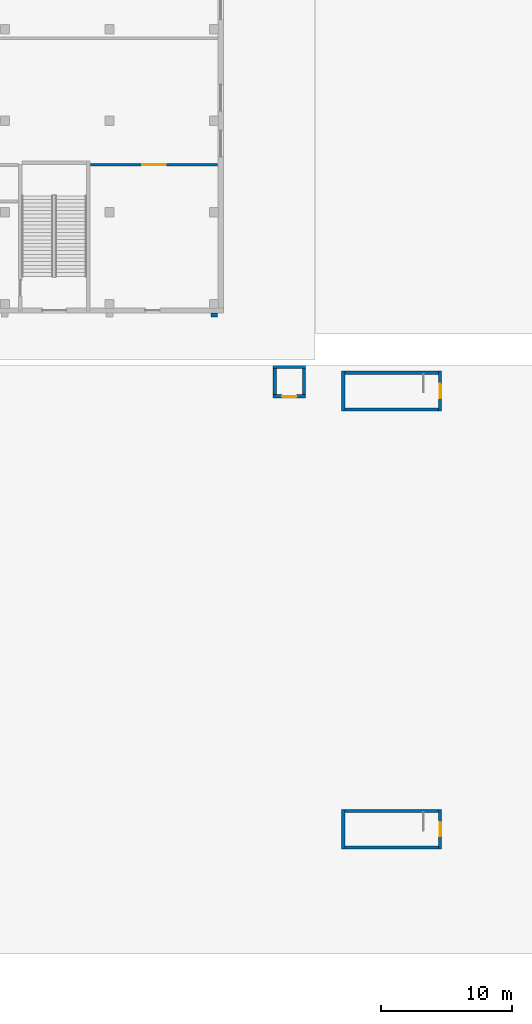
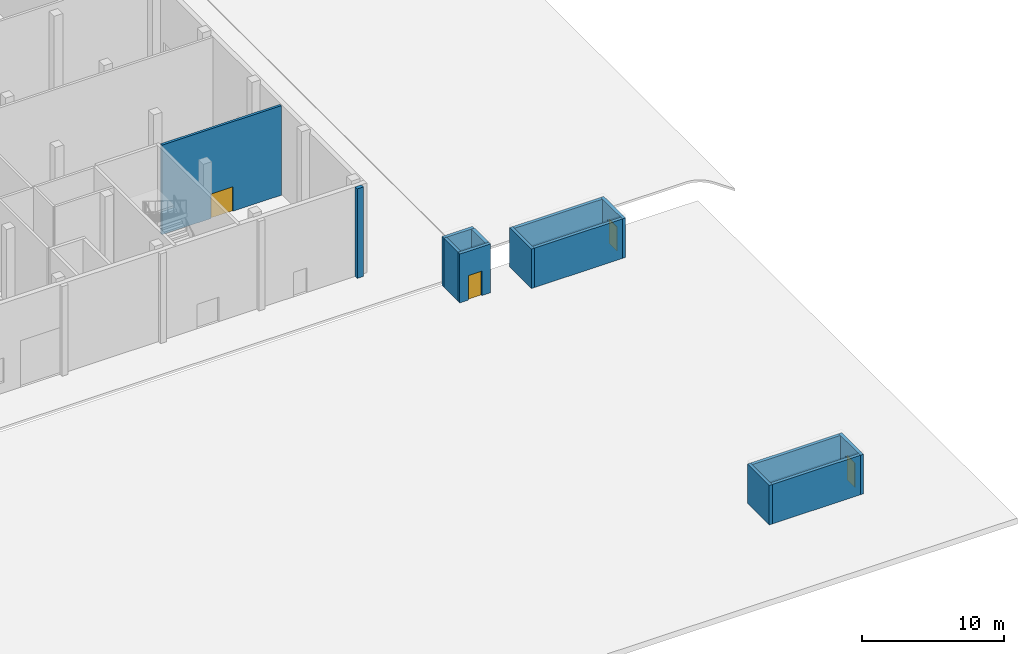
# One storey, part 33 of 57: 14 walls, 4 doors, 4 openings.
"""IFC4 building model written with IfcOpenShell, lengths in metres."""

from ifc_helpers import new_model, si_unit, direction, frame, frame_2d, origin, place, context, subcontext, project, spatial, rectangle, extrude, material, layer, layer_set, type_object, element, fill, save


model = new_model("IFC4")

# Units and contexts
model_context = context("Model", 3, precision=1e-05, world=origin(), true_north=direction((0.0, 1.0)))
body_context = subcontext(model_context, "Body", "Model", "MODEL_VIEW")
ifc_project = project(units=[si_unit("LENGTHUNIT", "METRE"), si_unit("AREAUNIT", "SQUARE_METRE"), si_unit("VOLUMEUNIT", "CUBIC_METRE"), si_unit("PLANEANGLEUNIT", "RADIAN"), si_unit("MASSUNIT", "GRAM", prefix="KILO")], contexts=[model_context])

# Site, building, storey
site_placement = place(None, origin())
site = spatial("IfcSite", under=ifc_project, at=site_placement, CompositionType="ELEMENT")
building_placement = place(site_placement, origin())
building = spatial("IfcBuilding", under=site, at=building_placement, Name="Tamorin Gate", CompositionType="ELEMENT")
storey_placement = place(building_placement, origin())
storey = spatial("IfcBuildingStorey", under=building, at=storey_placement, Name="L00", CompositionType="ELEMENT", Elevation=0.0)

# Wall, opening, door
ifc_material_1 = material(Name="Dense blockwork, plastered", Category="masonry")
ifc_layer_1 = layer(ifc_material_1, 0.199951171875)
ifc_layer_set_1 = layer_set([ifc_layer_1], Name="Blockwork partition 200")
wall_type_1 = type_object("IfcWallType", Name="Blockwork partition 200", PredefinedType="PARTITIONING", material=ifc_layer_set_1)
wall_1_placement = place(storey_placement, frame((200.22998046875, 66.330078125, 0.0), z_axis=(0.0, 0.0, 1.0), x_axis=(1.0, 0.0, 0.0)))
wall_1 = element("IfcWall", 1, at=wall_1_placement, inside=storey, type_object=wall_type_1, Name="Partition", PredefinedType="PARTITIONING", context=body_context, shape_type="SweptSolid", body=[
    extrude(rectangle(XDim=9.719970703125, YDim=0.199951171875, at=frame_2d((4.85986328125, 0.0))), origin(), (0.0, 0.0, 1.0), 7.699951171875),
])
opening_1_placement = place(wall_1_placement, frame((3.969970703125, 0.0, 0.0)))
opening_1 = element("IfcOpeningElement", 2, at=opening_1_placement, cuts=wall_1, Name="Opening DM59", PredefinedType="OPENING", context=body_context, shape_type="SweptSolid", body=[
    extrude(rectangle(XDim=1.800048828125, YDim=2.10009765625, at=frame_2d((0.89990234375, 1.050048828125))), frame((0.0, 0.10986328125, 0.0), z_axis=(0.0, -1.0, 0.0), x_axis=(1.0, 0.0, 0.0)), (0.0, 0.0, 1.0), 0.219970703125),
])
ifc_material_2 = material(Name="Steel, painted", Category="steel")
door_type_1 = type_object("IfcDoorType", Name="Museum double door 1800x2100", OperationType="DOUBLE_DOOR_SINGLE_SWING", PredefinedType="DOOR", material=ifc_material_2)
door_1_placement = place(opening_1_placement, origin())
door_1 = element("IfcDoor", 3, at=door_1_placement, inside=storey, type_object=door_type_1, Name="Door Gallery plant room", OperationType="DOUBLE_DOOR_SINGLE_SWING", OverallHeight=2.10009765625, OverallWidth=1.800048828125, PredefinedType="DOOR", context=body_context, shape_type="SweptSolid", body=[
    extrude(rectangle(XDim=1.800048828125, YDim=2.10009765625, at=frame_2d((0.89990234375, 1.050048828125))), frame((0.0, 0.02490234375, 0.0), z_axis=(0.0, -1.0, 0.0), x_axis=(1.0, 0.0, 0.0)), (0.0, 0.0, 1.0), 0.050048828125),
])
fill(opening_1, door_1)

# Walls
ifc_material_3 = material(Name="Concrete C40/50", Category="concrete")
ifc_layer_2 = layer(ifc_material_3, 0.5)
ifc_layer_set_2 = layer_set([ifc_layer_2], Name="Precast rib wall 500 C40/50")
wall_type_2 = type_object("IfcWallType", Name="Precast rib wall 500 C40/50", PredefinedType="STANDARD", material=ifc_layer_set_2)
wall_2_placement = place(storey_placement, frame((209.699951171875, 54.699951171875, 0.0), z_axis=(0.0, 0.0, 1.0), x_axis=(0.0, 1.0, 0.0)))
element("IfcWall", 4, at=wall_2_placement, inside=storey, type_object=wall_type_2, Name="Precast rib", PredefinedType="STANDARD", context=body_context, shape_type="SweptSolid", body=[
    extrude(rectangle(XDim=0.300048828125, YDim=0.5, at=frame_2d((0.14990234375, 0.0))), origin(), (0.0, 0.0, 1.0), 7.699951171875),
])
ifc_layer_3 = layer(ifc_material_3, 0.25)
ifc_layer_set_3 = layer_set([ifc_layer_3], Name="Stair and lift enclosure wall 250 C40/50")
wall_type_3 = type_object("IfcWallType", Name="Stair and lift enclosure wall 250 C40/50", PredefinedType="SHEAR", material=ifc_layer_set_3)
for number, where, z_axis, x_axis, name in (
    (5, (219.68994140625, 14.125, 0.0), (0.0, 0.0, 1.0), (1.0, 0.0, 0.0), "Stair SB8 wall"),
    (6, (219.68994140625, 16.925048828125, 0.0), (0.0, 0.0, 1.0), (1.0, 0.0, 0.0), "Stair SB8 wall"),
):
    element("IfcWall", number, at=place(storey_placement, frame(where, z_axis=z_axis, x_axis=x_axis)), inside=storey, type_object=wall_type_3, Name=name, PredefinedType="SHEAR", context=body_context, shape_type="SweptSolid", body=[
        extrude(rectangle(XDim=7.16015625, YDim=0.25, at=frame_2d((3.580078125, 0.0))), origin(), (0.0, 0.0, 1.0), 3.39990234375),
    ])

# Wall, opening, door
wall_3_placement = place(storey_placement, frame((226.97509765625, 14.0, 0.0), z_axis=(0.0, 0.0, 1.0), x_axis=(0.0, 1.0, 0.0)))
wall_3 = element("IfcWall", 7, at=wall_3_placement, inside=storey, type_object=wall_type_3, Name="Stair SB8 wall", PredefinedType="SHEAR", context=body_context, shape_type="SweptSolid", body=[
    extrude(rectangle(XDim=3.050048828125, YDim=0.25, at=frame_2d((1.52490234375, 0.0))), origin(), (0.0, 0.0, 1.0), 3.39990234375),
])
opening_2_placement = place(wall_3_placement, frame((0.97509765625, 0.0, 0.0)))
opening_2 = element("IfcOpeningElement", 8, at=opening_2_placement, cuts=wall_3, Name="Opening DP9", PredefinedType="OPENING", context=body_context, shape_type="SweptSolid", body=[
    extrude(rectangle(XDim=1.10009765625, YDim=2.10009765625, at=frame_2d((0.550048828125, 1.050048828125))), frame((0.0, 0.135009765625, 0.0), z_axis=(0.0, -1.0, 0.0), x_axis=(1.0, 0.0, 0.0)), (0.0, 0.0, 1.0), 0.27001953125),
])
door_type_2 = type_object("IfcDoorType", Name="Exit door 1100x2100 FD90 outward", OperationType="SINGLE_SWING_RIGHT", PredefinedType="DOOR", material=ifc_material_2)
door_2_placement = place(opening_2_placement, frame((1.10009765625, 0.0, 0.0), z_axis=(0.0, 0.0, 1.0), x_axis=(-1.0, 0.0, 0.0)))
door_2 = element("IfcDoor", 9, at=door_2_placement, inside=storey, type_object=door_type_2, Name="Stair exit door", OperationType="SINGLE_SWING_LEFT", OverallHeight=2.10009765625, OverallWidth=1.10009765625, PredefinedType="DOOR", context=body_context, shape_type="SweptSolid", body=[
    extrude(rectangle(XDim=1.10009765625, YDim=2.10009765625, at=frame_2d((0.550048828125, 1.050048828125))), frame((0.0, 0.02490234375, 0.0), z_axis=(0.0, -1.0, 0.0), x_axis=(1.0, 0.0, 0.0)), (0.0, 0.0, 1.0), 0.050048828125),
])
fill(opening_2, door_2)

# Walls
wall_4_placement = place(storey_placement, frame((219.56494140625, 14.0, 0.0), z_axis=(0.0, 0.0, 1.0), x_axis=(0.0, 1.0, 0.0)))
element("IfcWall", 10, at=wall_4_placement, inside=storey, type_object=wall_type_3, Name="Stair SB8 wall", PredefinedType="SHEAR", context=body_context, shape_type="SweptSolid", body=[
    extrude(rectangle(XDim=3.050048828125, YDim=0.25, at=frame_2d((1.52490234375, 0.0))), origin(), (0.0, 0.0, 1.0), 3.39990234375),
])
for number, where, z_axis, x_axis, name in (
    (11, (219.68994140625, 47.625, 0.0), (0.0, 0.0, 1.0), (1.0, 0.0, 0.0), "Stair SB9 wall"),
    (12, (219.68994140625, 50.425048828125, 0.0), (0.0, 0.0, 1.0), (1.0, 0.0, 0.0), "Stair SB9 wall"),
):
    element("IfcWall", number, at=place(storey_placement, frame(where, z_axis=z_axis, x_axis=x_axis)), inside=storey, type_object=wall_type_3, Name=name, PredefinedType="SHEAR", context=body_context, shape_type="SweptSolid", body=[
        extrude(rectangle(XDim=7.16015625, YDim=0.25, at=frame_2d((3.580078125, 0.0))), origin(), (0.0, 0.0, 1.0), 3.39990234375),
    ])

# Wall, opening, door
wall_5_placement = place(storey_placement, frame((226.97509765625, 47.5, 0.0), z_axis=(0.0, 0.0, 1.0), x_axis=(0.0, 1.0, 0.0)))
wall_5 = element("IfcWall", 13, at=wall_5_placement, inside=storey, type_object=wall_type_3, Name="Stair SB9 wall", PredefinedType="SHEAR", context=body_context, shape_type="SweptSolid", body=[
    extrude(rectangle(XDim=3.050048828125, YDim=0.25, at=frame_2d((1.52490234375, 0.0))), origin(), (0.0, 0.0, 1.0), 3.39990234375),
])
opening_3_placement = place(wall_5_placement, frame((0.97509765625, 0.0, 0.0)))
opening_3 = element("IfcOpeningElement", 14, at=opening_3_placement, cuts=wall_5, Name="Opening DP9", PredefinedType="OPENING", context=body_context, shape_type="SweptSolid", body=[
    extrude(rectangle(XDim=1.10009765625, YDim=2.10009765625, at=frame_2d((0.550048828125, 1.050048828125))), frame((0.0, 0.135009765625, 0.0), z_axis=(0.0, -1.0, 0.0), x_axis=(1.0, 0.0, 0.0)), (0.0, 0.0, 1.0), 0.27001953125),
])
door_3_placement = place(opening_3_placement, frame((1.10009765625, 0.0, 0.0), z_axis=(0.0, 0.0, 1.0), x_axis=(-1.0, 0.0, 0.0)))
door_3 = element("IfcDoor", 15, at=door_3_placement, inside=storey, type_object=door_type_2, Name="Stair exit door", OperationType="SINGLE_SWING_RIGHT", OverallHeight=2.10009765625, OverallWidth=1.10009765625, PredefinedType="DOOR", context=body_context, shape_type="SweptSolid", body=[
    extrude(rectangle(XDim=1.10009765625, YDim=2.10009765625, at=frame_2d((0.550048828125, 1.050048828125))), frame((0.0, 0.02490234375, 0.0), z_axis=(0.0, -1.0, 0.0), x_axis=(1.0, 0.0, 0.0)), (0.0, 0.0, 1.0), 0.050048828125),
])
fill(opening_3, door_3)

# Wall
wall_6_placement = place(storey_placement, frame((219.56494140625, 47.5, 0.0), z_axis=(0.0, 0.0, 1.0), x_axis=(0.0, 1.0, 0.0)))
element("IfcWall", 16, at=wall_6_placement, inside=storey, type_object=wall_type_3, Name="Stair SB9 wall", PredefinedType="SHEAR", context=body_context, shape_type="SweptSolid", body=[
    extrude(rectangle(XDim=3.050048828125, YDim=0.25, at=frame_2d((1.52490234375, 0.0))), origin(), (0.0, 0.0, 1.0), 3.39990234375),
])

# Wall, opening, door
wall_7_placement = place(storey_placement, frame((214.199951171875, 48.625, 0.0), z_axis=(0.0, 0.0, 1.0), x_axis=(1.0, 0.0, 0.0)))
wall_7 = element("IfcWall", 17, at=wall_7_placement, inside=storey, type_object=wall_type_3, Name="Lift shaft LP2", PredefinedType="SHEAR", context=body_context, shape_type="SweptSolid", body=[
    extrude(rectangle(XDim=2.5, YDim=0.25, at=frame_2d((1.25, 0.0))), origin(), (0.0, 0.0, 1.0), 4.199951171875),
])
opening_4_placement = place(wall_7_placement, frame((0.699951171875, 0.0, 0.0)))
opening_4 = element("IfcOpeningElement", 18, at=opening_4_placement, cuts=wall_7, Name="Opening LD23", PredefinedType="OPENING", context=body_context, shape_type="SweptSolid", body=[
    extrude(rectangle(XDim=1.10009765625, YDim=2.10009765625, at=frame_2d((0.550048828125, 1.050048828125))), frame((0.0, 0.135009765625, 0.0), z_axis=(0.0, -1.0, 0.0), x_axis=(1.0, 0.0, 0.0)), (0.0, 0.0, 1.0), 0.27001953125),
])
ifc_material_4 = material(Name="Stainless steel", Category="steel")
door_type_3 = type_object("IfcDoorType", Name="Lift landing door 1100x2100", OperationType="DOUBLE_DOOR_SLIDING", PredefinedType="DOOR", material=ifc_material_4)
door_4_placement = place(opening_4_placement, origin())
door_4 = element("IfcDoor", 19, at=door_4_placement, inside=storey, type_object=door_type_3, Name="Lift landing door", OperationType="DOUBLE_DOOR_SLIDING", OverallHeight=2.10009765625, OverallWidth=1.10009765625, PredefinedType="DOOR", context=body_context, shape_type="SweptSolid", body=[
    extrude(rectangle(XDim=1.10009765625, YDim=2.10009765625, at=frame_2d((0.550048828125, 1.050048828125))), frame((0.0, 0.02490234375, 0.0), z_axis=(0.0, -1.0, 0.0), x_axis=(1.0, 0.0, 0.0)), (0.0, 0.0, 1.0), 0.050048828125),
])
fill(opening_4, door_4)

# Walls
wall_8_placement = place(storey_placement, frame((214.199951171875, 50.875, 0.0), z_axis=(0.0, 0.0, 1.0), x_axis=(1.0, 0.0, 0.0)))
element("IfcWall", 20, at=wall_8_placement, inside=storey, type_object=wall_type_3, Name="Lift shaft LP2", PredefinedType="SHEAR", context=body_context, shape_type="SweptSolid", body=[
    extrude(rectangle(XDim=2.5, YDim=0.25, at=frame_2d((1.25, 0.0))), origin(), (0.0, 0.0, 1.0), 4.199951171875),
])
for number, where, z_axis, x_axis, name in (
    (21, (214.324951171875, 48.75, 0.0), (0.0, 0.0, 1.0), (0.0, 1.0, 0.0), "Lift shaft LP2"),
    (22, (216.574951171875, 48.75, 0.0), (0.0, 0.0, 1.0), (0.0, 1.0, 0.0), "Lift shaft LP2"),
):
    element("IfcWall", number, at=place(storey_placement, frame(where, z_axis=z_axis, x_axis=x_axis)), inside=storey, type_object=wall_type_3, Name=name, PredefinedType="SHEAR", context=body_context, shape_type="SweptSolid", body=[
        extrude(rectangle(XDim=2.0, YDim=0.25, at=frame_2d((1.0, 0.0))), origin(), (0.0, 0.0, 1.0), 4.199951171875),
    ])

save(model, "model.ifc")
